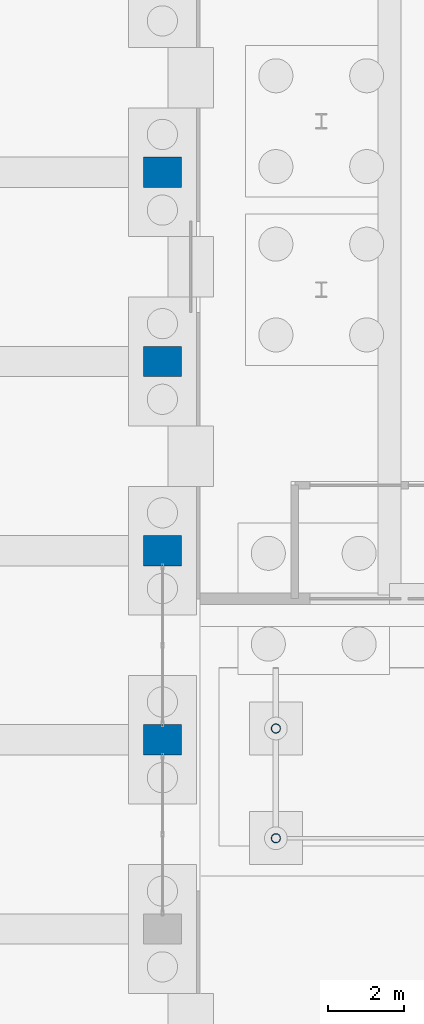
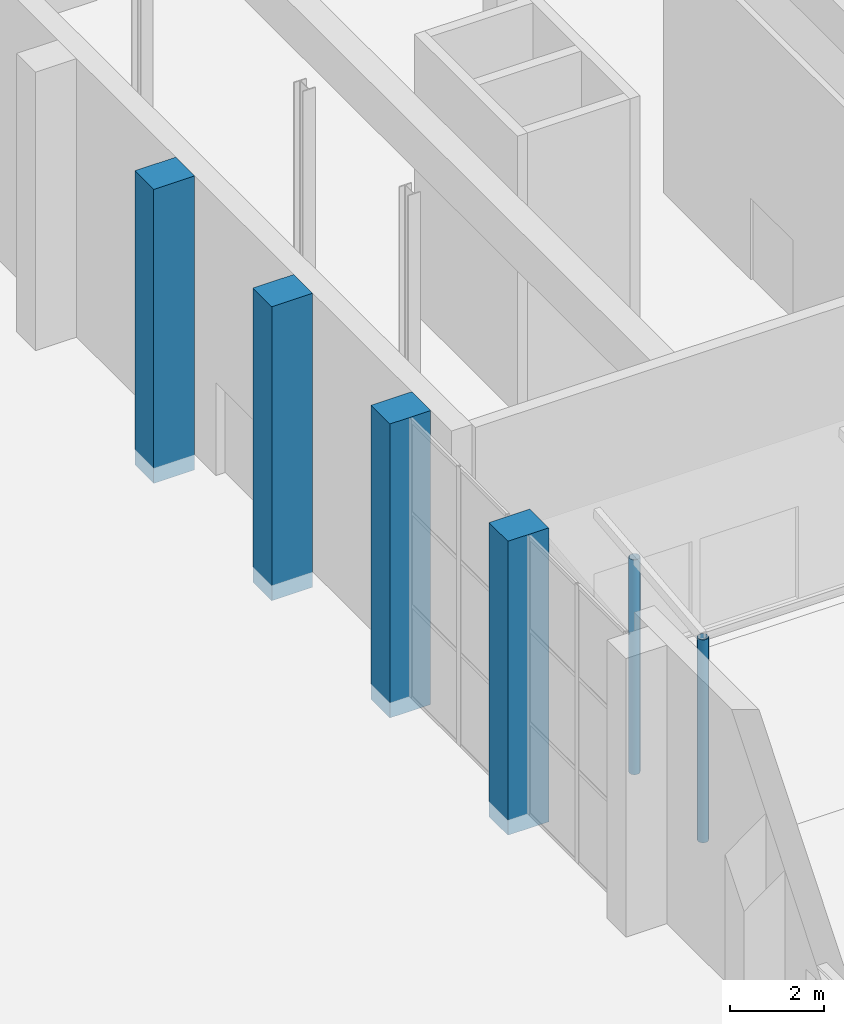
# One storey, part 37 of 239: 6 columns.
"""IFC4 building model written with IfcOpenShell, lengths in metres."""

import ifcopenshell
import ifcopenshell.guid

model = None  # the IFC model being written
_history = None  # IfcOwnerHistory: only IFC2X3 demands one
_inside = {}  # id of a spatial element -> (the spatial element, [elements in it])
_under = {}  # id of a project, library or spatial element -> (it, [spatial elements below it])
_declared = {}  # id of a project -> (the project, [libraries it declares])
_typed = {}  # id of a type object -> (the type object, [elements of that type])
_made_of = {}  # id of a material, layer set ... -> (it, [elements and type objects made of it])


def new_model(schema):
    """Start an empty IFC model of exactly this schema.

    Asked for "IFC4X3", IfcOpenShell would pick the latest addendum, in which some entities
    have other attributes; the version numbers below select the first issue.
    IFC2X3 requires an IfcOwnerHistory on every rooted entity: one is made here for all.
    """
    global model, _history
    if schema == "IFC4X3":
        model = ifcopenshell.file(schema_version=(4, 3, 0, 0))
    else:
        model = ifcopenshell.file(schema=schema)
    _inside.clear()
    _under.clear()
    _declared.clear()
    _typed.clear()
    _made_of.clear()
    _history = None
    if model.schema == "IFC2X3":
        org = make("IfcOrganization", Name="unknown")
        user = make(
            "IfcPersonAndOrganization",
            ThePerson=make("IfcPerson", FamilyName="unknown"),
            TheOrganization=org,
        )
        app = make(
            "IfcApplication",
            ApplicationDeveloper=org,
            Version="unknown",
            ApplicationFullName="unknown",
            ApplicationIdentifier="unknown",
        )
        _history = make(
            "IfcOwnerHistory",
            OwningUser=user,
            OwningApplication=app,
            ChangeAction="ADDED",
            CreationDate=0,
        )
    return model


def make(cls, **values):
    """One entity of the class cls with the attributes given. An attribute that is None is left unset."""
    return model.create_entity(
        cls, **{name: value for name, value in values.items() if value is not None}
    )


def rooted(cls, **values):
    """An entity with a GlobalId (a new one), such as an element, a storey or a relation."""
    return make(cls, GlobalId=ifcopenshell.guid.new(), OwnerHistory=_history, **values)


def si_unit(unit_type, name, prefix=None):
    """IfcSIUnit, for example si_unit("LENGTHUNIT", "METRE", prefix="MILLI")."""
    return make("IfcSIUnit", UnitType=unit_type, Prefix=prefix, Name=name)


def assignment(units):
    """IfcUnitAssignment: the units of a project."""
    return None if units is None else make("IfcUnitAssignment", Units=units)


def point(xyz):
    """IfcCartesianPoint."""
    return None if xyz is None else make("IfcCartesianPoint", Coordinates=xyz)


def direction(xyz):
    """IfcDirection."""
    return None if xyz is None else make("IfcDirection", DirectionRatios=xyz)


def frame(location, z_axis=None, x_axis=None):
    """IfcAxis2Placement3D, a coordinate frame: its origin and axes. An axis left out is left unset."""
    return make(
        "IfcAxis2Placement3D",
        Location=point(location),
        Axis=direction(z_axis),
        RefDirection=direction(x_axis),
    )


def frame_2d(location, x_axis=None):
    """IfcAxis2Placement2D, a coordinate frame in the plane: its origin and x axis."""
    return make(
        "IfcAxis2Placement2D", Location=point(location), RefDirection=direction(x_axis)
    )


def origin():
    """The frame at (0, 0, 0) with its axes left unset."""
    return frame((0.0, 0.0, 0.0))


def origin_2d():
    """The frame at (0, 0) in the plane with its x axis left unset."""
    return frame_2d((0.0, 0.0))


def place(relative_to, where):
    """IfcLocalPlacement: puts the frame where relative to a parent placement (None: the world)."""
    return make(
        "IfcLocalPlacement", PlacementRelTo=relative_to, RelativePlacement=where
    )


def context(
    kind, dimensions, precision=None, world=None, true_north=None, identifier=None
):
    """IfcGeometricRepresentationContext, for example the 3D "Model" context."""
    return make(
        "IfcGeometricRepresentationContext",
        ContextIdentifier=identifier,
        ContextType=kind,
        CoordinateSpaceDimension=dimensions,
        Precision=precision,
        WorldCoordinateSystem=world,
        TrueNorth=true_north,
    )


def subcontext(parent, identifier, kind, view, scale=None):
    """IfcGeometricRepresentationSubContext, for example "Body" below "Model"."""
    return make(
        "IfcGeometricRepresentationSubContext",
        ContextIdentifier=identifier,
        ContextType=kind,
        ParentContext=parent,
        TargetScale=scale,
        TargetView=view,
    )


def project(units=None, contexts=None):
    """IfcProject with its units and contexts."""
    return rooted(
        "IfcProject",
        Name="project",
        RepresentationContexts=contexts,
        UnitsInContext=assignment(units),
    )


def spatial(cls, under=None, at=None, **own):
    """A site, building, storey or space (cls), placed at a placement, below another one or the project."""
    s = rooted(cls, ObjectPlacement=at, **own)
    if under is not None:
        _under.setdefault(under.id(), (under, []))[1].append(s)
    return s


def profile(cls, at=None, kind="AREA", **sizes):
    """A parametric profile (cls). Its sizes go by their IFC names, for example OverallWidth=200.0."""
    return make(cls, ProfileType=kind, Position=at, **sizes)


def rectangle(**sizes):
    """IfcRectangleProfileDef."""
    return profile("IfcRectangleProfileDef", **sizes)


def hollow_circle(**sizes):
    """IfcCircleHollowProfileDef."""
    return profile("IfcCircleHollowProfileDef", **sizes)


def extrude(swept, where, along, depth):
    """IfcExtrudedAreaSolid: the profile swept, set in the frame where, extruded along a direction by depth."""
    return make(
        "IfcExtrudedAreaSolid",
        SweptArea=swept,
        Position=where,
        ExtrudedDirection=direction(along),
        Depth=depth,
    )


def shape(context_of_items, identifier, shape_type, items):
    """IfcShapeRepresentation: the items that make up one representation, for example the "Body"."""
    return make(
        "IfcShapeRepresentation",
        ContextOfItems=context_of_items,
        RepresentationIdentifier=identifier,
        RepresentationType=shape_type,
        Items=items,
    )


def material(Name=None, Category=None):
    """IfcMaterial."""
    return make("IfcMaterial", Name=Name, Category=Category)


def material_profile(
    of_material, cross_section, Name=None, Category=None, Priority=None
):
    """IfcMaterialProfile: a cross section and its material."""
    return make(
        "IfcMaterialProfile",
        Name=Name,
        Material=of_material,
        Profile=cross_section,
        Priority=Priority,
        Category=Category,
    )


def profile_set(profiles, Name=None, composite=None):
    """IfcMaterialProfileSet."""
    return make(
        "IfcMaterialProfileSet",
        Name=Name,
        MaterialProfiles=profiles,
        CompositeProfile=composite,
    )


def made_of(thing, what):
    """Note that an element or type object is made of a material, layer set ...; save() writes the relation."""
    if what is not None:
        _made_of.setdefault(what.id(), (what, []))[1].append(thing)
    return thing


def type_object(cls, material=None, **own):
    """A type object (cls), such as IfcWallType, which elements share."""
    return made_of(rooted(cls, **own), material)


def element(
    cls,
    number,
    at=None,
    inside=None,
    cuts=None,
    type_object=None,
    material=None,
    context=None,
    identifier="Body",
    shape_type=None,
    held_by="IfcProductDefinitionShape",
    body=None,
    shapes=None,
    **own,
):
    """One element of the class cls, such as IfcWall. Its Tag is "e" and its number.

    at: its placement. inside: the storey or other place that contains it. cuts: it is an
    opening in that element (IfcRelVoidsElement). A single representation is given by context,
    identifier, shape_type and body (its items); several are given by shapes. held_by: the class
    of the entity that holds the representations. save() writes the other relations.
    """
    e = rooted(cls, Tag="e%d" % number, ObjectPlacement=at, **own)
    if body is not None:
        shapes = [shape(context, identifier, shape_type, body)]
    if shapes is not None:
        e.Representation = make(held_by, Representations=shapes)
    if inside is not None:
        _inside.setdefault(inside.id(), (inside, []))[1].append(e)
    if cuts is not None:
        rooted(
            "IfcRelVoidsElement", RelatingBuildingElement=cuts, RelatedOpeningElement=e
        )
    if type_object is not None:
        _typed.setdefault(type_object.id(), (type_object, []))[1].append(e)
    return made_of(e, material)


def aggregate(whole, parts):
    """IfcRelAggregates: a whole, such as a stair, and the parts it consists of."""
    return rooted("IfcRelAggregates", RelatingObject=whole, RelatedObjects=parts)


def save(model, path):
    """Write the relations noted so far, then the file.

    IfcRelAggregates (storeys below a building ...), IfcRelContainedInSpatialStructure (elements
    in a storey), IfcRelDefinesByType, IfcRelAssociatesMaterial and IfcRelDeclares: one each for
    every whole, place, type object, material and project.
    """
    for whole, parts in _under.values():
        aggregate(whole, parts)
    for where, things in _inside.values():
        rooted(
            "IfcRelContainedInSpatialStructure",
            RelatedElements=things,
            RelatingStructure=where,
        )
    for kind, things in _typed.values():
        rooted("IfcRelDefinesByType", RelatedObjects=things, RelatingType=kind)
    for what, things in _made_of.values():
        rooted("IfcRelAssociatesMaterial", RelatedObjects=things, RelatingMaterial=what)
    for by, libraries in _declared.values():
        rooted("IfcRelDeclares", RelatingContext=by, RelatedDefinitions=libraries)
    model.write(path)


model = new_model("IFC4")

# Units and contexts
model_context = context("Model", 3, precision=1e-05, world=origin(), true_north=direction((0.0, 1.0)))
body_context = subcontext(model_context, "Body", "Model", "MODEL_VIEW")
ifc_project = project(units=[si_unit("LENGTHUNIT", "METRE"), si_unit("AREAUNIT", "SQUARE_METRE"), si_unit("VOLUMEUNIT", "CUBIC_METRE"), si_unit("PLANEANGLEUNIT", "RADIAN"), si_unit("MASSUNIT", "GRAM", prefix="KILO")], contexts=[model_context])

# Site, building, storey
site_placement = place(None, origin())
site = spatial("IfcSite", under=ifc_project, at=site_placement, CompositionType="ELEMENT")
building_placement = place(site_placement, origin())
building = spatial("IfcBuilding", under=site, at=building_placement, Name="Okhra Congress Centre", CompositionType="ELEMENT")
storey_placement = place(building_placement, origin())
storey = spatial("IfcBuildingStorey", under=building, at=storey_placement, Name="L00", CompositionType="ELEMENT", Elevation=0.0)

# Columns
ifc_material_1 = material(Name="Concrete C40/50", Category="concrete")
ifc_material_profile_1 = material_profile(ifc_material_1, rectangle(XDim=1.0, YDim=0.800048828125, at=origin_2d()), Name="RC 1000x800")
ifc_profile_set_1 = profile_set([ifc_material_profile_1], Name="Concrete C40/50")
column_type_1 = type_object("IfcColumnType", Name="RC pier 1000x800 C40/50", PredefinedType="COLUMN", material=ifc_profile_set_1)
for number, where, z_axis, x_axis, name in (
    (1, (189.0, 146.0, -0.39990234375), (0.0, 0.0, 1.0), (1.0, 0.0, 0.0), "WG.COL.L00.pier-E14"),
    (2, (189.0, 151.0, -0.39990234375), (0.0, 0.0, 1.0), (1.0, 0.0, 0.0), "WG.COL.L00.pier-E15"),
    (3, (189.0, 156.0, -0.39990234375), (0.0, 0.0, 1.0), (1.0, 0.0, 0.0), "WG.COL.L00.pier-E16"),
    (4, (189.0, 161.0, -0.39990234375), (0.0, 0.0, 1.0), (1.0, 0.0, 0.0), "WG.COL.L00.pier-E17"),
):
    element("IfcColumn", number, at=place(storey_placement, frame(where, z_axis=z_axis, x_axis=x_axis)), inside=storey, type_object=column_type_1, Name=name, PredefinedType="COLUMN", context=body_context, shape_type="SweptSolid", body=[
        extrude(rectangle(XDim=1.0, YDim=0.800048828125, at=origin_2d()), origin(), (0.0, 0.0, 1.0), 7.599853515625),
    ])
ifc_material_2 = material(Name="Steel S355J2", Category="steel")
ifc_material_profile_2 = material_profile(ifc_material_2, hollow_circle(Radius=0.122314453125, WallThickness=0.010009765625, at=origin_2d()), Name="CHS 244.5x10")
ifc_profile_set_2 = profile_set([ifc_material_profile_2], Name="Steel S355J2")
column_type_2 = type_object("IfcColumnType", Name="Steel canopy column CHS 244x10", PredefinedType="COLUMN", material=ifc_profile_set_2)
column_1_placement = place(storey_placement, frame((192.0, 143.39990234375, -0.39990234375), z_axis=(0.0, 0.0, 1.0), x_axis=(1.0, 0.0, 0.0)))
element("IfcColumn", 5, at=column_1_placement, inside=storey, type_object=column_type_2, Name="Drop-off canopy column 1.1", PredefinedType="COLUMN", context=body_context, shape_type="SweptSolid", body=[
    extrude(hollow_circle(Radius=0.122314453125, WallThickness=0.010009765625, at=origin_2d()), origin(), (0.0, 0.0, 1.0), 5.24609375),
])
column_2_placement = place(storey_placement, frame((192.0, 146.300048828125, -0.39990234375), z_axis=(0.0, 0.0, 1.0), x_axis=(1.0, 0.0, 0.0)))
element("IfcColumn", 6, at=column_2_placement, inside=storey, type_object=column_type_2, Name="Drop-off canopy column 1.2", PredefinedType="COLUMN", context=body_context, shape_type="SweptSolid", body=[
    extrude(hollow_circle(Radius=0.122314453125, WallThickness=0.010009765625, at=origin_2d()), origin(), (0.0, 0.0, 1.0), 5.5546875),
])

save(model, "model.ifc")
